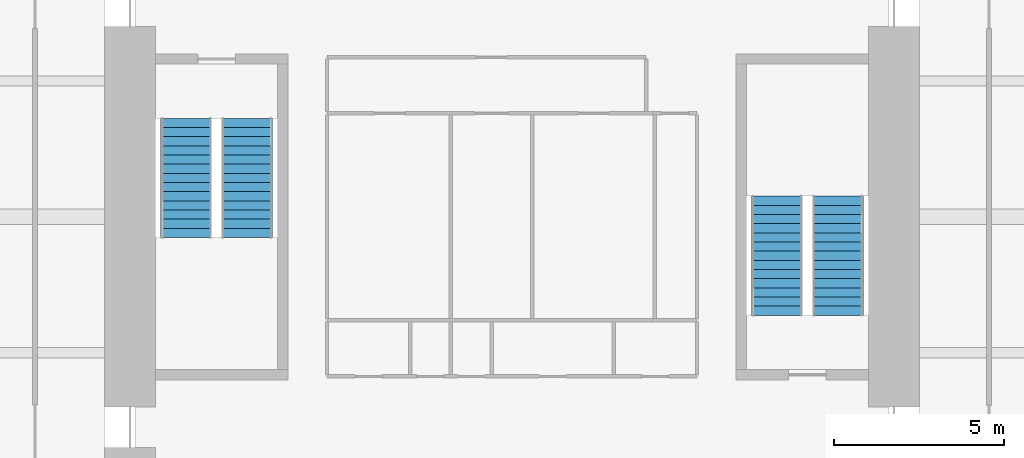
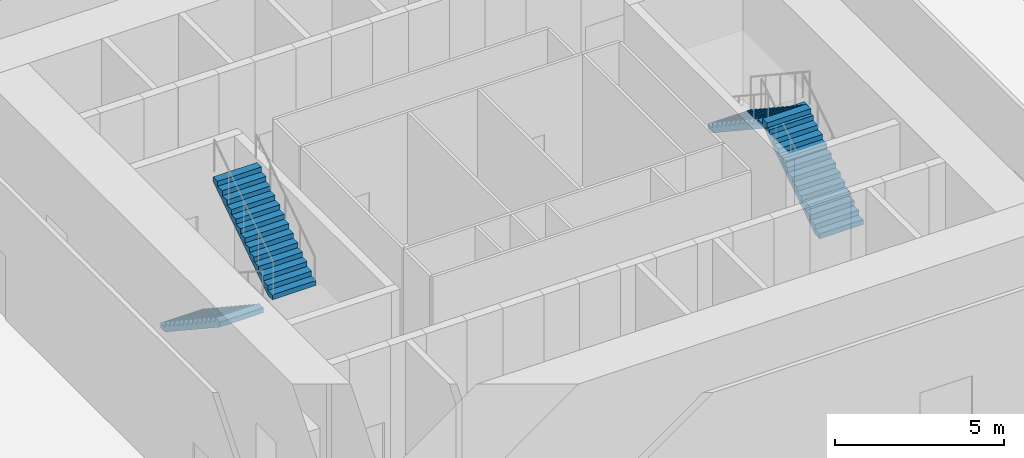
# One storey, part 8 of 9: 4 stair flights, 2 elements without a shape of their own.
"""IFC4 building model written with IfcOpenShell, lengths in metres."""

from ifc_helpers import new_model, si_unit, direction, frame, origin, place, context, subcontext, project, spatial, polyline, outline, extrude, material, type_object, element, aggregate, save


model = new_model("IFC4")

# Units and contexts
model_context = context("Model", 3, precision=1e-05, world=origin(), true_north=direction((0.0, 1.0)))
body_context = subcontext(model_context, "Body", "Model", "MODEL_VIEW")
ifc_project = project(units=[si_unit("LENGTHUNIT", "METRE"), si_unit("AREAUNIT", "SQUARE_METRE"), si_unit("VOLUMEUNIT", "CUBIC_METRE"), si_unit("PLANEANGLEUNIT", "RADIAN"), si_unit("MASSUNIT", "GRAM", prefix="KILO")], contexts=[model_context])

# Site, building, storey
site_placement = place(None, origin())
site = spatial("IfcSite", under=ifc_project, at=site_placement, CompositionType="ELEMENT")
building_placement = place(site_placement, origin())
building = spatial("IfcBuilding", under=site, at=building_placement, Name="Peilmerk Tower", CompositionType="ELEMENT")
storey_placement = place(building_placement, frame((0.0, 0.0, 81.0)))
storey = spatial("IfcBuildingStorey", under=building, at=storey_placement, Name="L15", CompositionType="ELEMENT", Elevation=81.0)

# Stair, stair flights
ifc_material = material(Name="Precast concrete C45/55", Category="concrete")
stair_type_1 = type_object("IfcStairType", Name="ST1 28 risers of 178.6", PredefinedType="HALF_TURN_STAIR", material=ifc_material)
stair_1_placement = place(storey_placement, origin())
stair_1 = element("IfcStair", 1, at=stair_1_placement, inside=storey, type_object=stair_type_1, Name="Stair 1 L15 to L16", PredefinedType="HALF_TURN_STAIR")
stair_flight_type = type_object("IfcStairFlightType", Name="SF14 flight, 14 risers of 178.6", PredefinedType="STRAIGHT", material=ifc_material)
stair_flight_1_placement = place(storey_placement, frame((-9.60009765625, 2.89990234375, 0.0), z_axis=(0.0, 0.0, 1.0), x_axis=(0.0, -1.0, 0.0)))
stair_flight_1 = element("IfcStairFlight", 2, at=stair_flight_1_placement, type_object=stair_flight_type, Name="ST1 flight 1", NumberOfRisers=14, NumberOfTreads=13, PredefinedType="STRAIGHT", RiserHeight=0.178571429, TreadLength=0.27, context=body_context, shape_type="SweptSolid", body=[
    extrude(outline(polyline([(0.0, 0.0), (0.0, 0.178466796875), (0.27001953125, 0.178466796875), (0.27001953125, 0.357177734375), (0.5400390625, 0.357177734375), (0.5400390625, 0.53564453125), (0.81005859375, 0.53564453125), (0.81005859375, 0.71435546875), (1.080078125, 0.71435546875), (1.080078125, 0.892822265625), (1.35009765625, 0.892822265625), (1.35009765625, 1.071533203125), (1.6201171875, 1.071533203125), (1.6201171875, 1.25), (1.889892578125, 1.25), (1.889892578125, 1.428466796875), (2.159912109375, 1.428466796875), (2.159912109375, 1.607177734375), (2.429931640625, 1.607177734375), (2.429931640625, 1.78564453125), (2.699951171875, 1.78564453125), (2.699951171875, 1.96435546875), (2.969970703125, 1.96435546875), (2.969970703125, 2.142822265625), (3.239990234375, 2.142822265625), (3.239990234375, 2.321533203125), (3.510009765625, 2.321533203125), (3.510009765625, 2.5), (3.510009765625, 2.1416015625), (0.271728515625, 0.0), (0.0, 0.0)])), frame((0.0, 0.75, 0.0), z_axis=(0.0, -1.0, 0.0), x_axis=(1.0, 0.0, 0.0)), (0.0, 0.0, 1.0), 1.5),
])
stair_flight_2_placement = place(storey_placement, frame((-7.800048828125, -0.610107421875, 2.5), z_axis=(0.0, 0.0, 1.0), x_axis=(0.0, 1.0, 0.0)))
stair_flight_2 = element("IfcStairFlight", 3, at=stair_flight_2_placement, type_object=stair_flight_type, Name="ST1 flight 2", NumberOfRisers=14, NumberOfTreads=13, PredefinedType="STRAIGHT", RiserHeight=0.178571429, TreadLength=0.27, context=body_context, shape_type="SweptSolid", body=[
    extrude(outline(polyline([(0.0, 0.0), (0.0, 0.178466796875), (0.27001953125, 0.178466796875), (0.27001953125, 0.357177734375), (0.5400390625, 0.357177734375), (0.5400390625, 0.53564453125), (0.81005859375, 0.53564453125), (0.81005859375, 0.71435546875), (1.080078125, 0.71435546875), (1.080078125, 0.892822265625), (1.35009765625, 0.892822265625), (1.35009765625, 1.071533203125), (1.6201171875, 1.071533203125), (1.6201171875, 1.25), (1.889892578125, 1.25), (1.889892578125, 1.428466796875), (2.159912109375, 1.428466796875), (2.159912109375, 1.607177734375), (2.429931640625, 1.607177734375), (2.429931640625, 1.78564453125), (2.699951171875, 1.78564453125), (2.699951171875, 1.96435546875), (2.969970703125, 1.96435546875), (2.969970703125, 2.142822265625), (3.239990234375, 2.142822265625), (3.239990234375, 2.321533203125), (3.510009765625, 2.321533203125), (3.510009765625, 2.5), (3.510009765625, 2.1416015625), (0.271728515625, 0.0), (0.0, 0.0)])), frame((0.0, 0.75, 0.0), z_axis=(0.0, -1.0, 0.0), x_axis=(1.0, 0.0, 0.0)), (0.0, 0.0, 1.0), 1.5),
])
aggregate(stair_1, [stair_flight_1, stair_flight_2])

stair_type_2 = type_object("IfcStairType", Name="ST2 28 risers of 178.6", PredefinedType="HALF_TURN_STAIR", material=ifc_material)
stair_2_placement = place(storey_placement, origin())
stair_2 = element("IfcStair", 4, at=stair_2_placement, inside=storey, type_object=stair_type_2, Name="Stair 2 L15 to L16", PredefinedType="HALF_TURN_STAIR")
stair_flight_3_placement = place(storey_placement, frame((9.60009765625, -2.89990234375, 0.0), z_axis=(0.0, 0.0, 1.0), x_axis=(0.0, 1.0, 0.0)))
stair_flight_3 = element("IfcStairFlight", 5, at=stair_flight_3_placement, type_object=stair_flight_type, Name="ST2 flight 1", NumberOfRisers=14, NumberOfTreads=13, PredefinedType="STRAIGHT", RiserHeight=0.178571429, TreadLength=0.27, context=body_context, shape_type="SweptSolid", body=[
    extrude(outline(polyline([(0.0, 0.0), (0.0, 0.178466796875), (0.27001953125, 0.178466796875), (0.27001953125, 0.357177734375), (0.5400390625, 0.357177734375), (0.5400390625, 0.53564453125), (0.81005859375, 0.53564453125), (0.81005859375, 0.71435546875), (1.080078125, 0.71435546875), (1.080078125, 0.892822265625), (1.35009765625, 0.892822265625), (1.35009765625, 1.071533203125), (1.6201171875, 1.071533203125), (1.6201171875, 1.25), (1.889892578125, 1.25), (1.889892578125, 1.428466796875), (2.159912109375, 1.428466796875), (2.159912109375, 1.607177734375), (2.429931640625, 1.607177734375), (2.429931640625, 1.78564453125), (2.699951171875, 1.78564453125), (2.699951171875, 1.96435546875), (2.969970703125, 1.96435546875), (2.969970703125, 2.142822265625), (3.239990234375, 2.142822265625), (3.239990234375, 2.321533203125), (3.510009765625, 2.321533203125), (3.510009765625, 2.5), (3.510009765625, 2.1416015625), (0.271728515625, 0.0), (0.0, 0.0)])), frame((0.0, 0.75, 0.0), z_axis=(0.0, -1.0, 0.0), x_axis=(1.0, 0.0, 0.0)), (0.0, 0.0, 1.0), 1.5),
])
stair_flight_4_placement = place(storey_placement, frame((7.800048828125, 0.610107421875, 2.5), z_axis=(0.0, 0.0, 1.0), x_axis=(0.0, -1.0, 0.0)))
stair_flight_4 = element("IfcStairFlight", 6, at=stair_flight_4_placement, type_object=stair_flight_type, Name="ST2 flight 2", NumberOfRisers=14, NumberOfTreads=13, PredefinedType="STRAIGHT", RiserHeight=0.178571429, TreadLength=0.27, context=body_context, shape_type="SweptSolid", body=[
    extrude(outline(polyline([(0.0, 0.0), (0.0, 0.178466796875), (0.27001953125, 0.178466796875), (0.27001953125, 0.357177734375), (0.5400390625, 0.357177734375), (0.5400390625, 0.53564453125), (0.81005859375, 0.53564453125), (0.81005859375, 0.71435546875), (1.080078125, 0.71435546875), (1.080078125, 0.892822265625), (1.35009765625, 0.892822265625), (1.35009765625, 1.071533203125), (1.6201171875, 1.071533203125), (1.6201171875, 1.25), (1.889892578125, 1.25), (1.889892578125, 1.428466796875), (2.159912109375, 1.428466796875), (2.159912109375, 1.607177734375), (2.429931640625, 1.607177734375), (2.429931640625, 1.78564453125), (2.699951171875, 1.78564453125), (2.699951171875, 1.96435546875), (2.969970703125, 1.96435546875), (2.969970703125, 2.142822265625), (3.239990234375, 2.142822265625), (3.239990234375, 2.321533203125), (3.510009765625, 2.321533203125), (3.510009765625, 2.5), (3.510009765625, 2.1416015625), (0.271728515625, 0.0), (0.0, 0.0)])), frame((0.0, 0.75, 0.0), z_axis=(0.0, -1.0, 0.0), x_axis=(1.0, 0.0, 0.0)), (0.0, 0.0, 1.0), 1.5),
])
aggregate(stair_2, [stair_flight_3, stair_flight_4])

save(model, "model.ifc")
